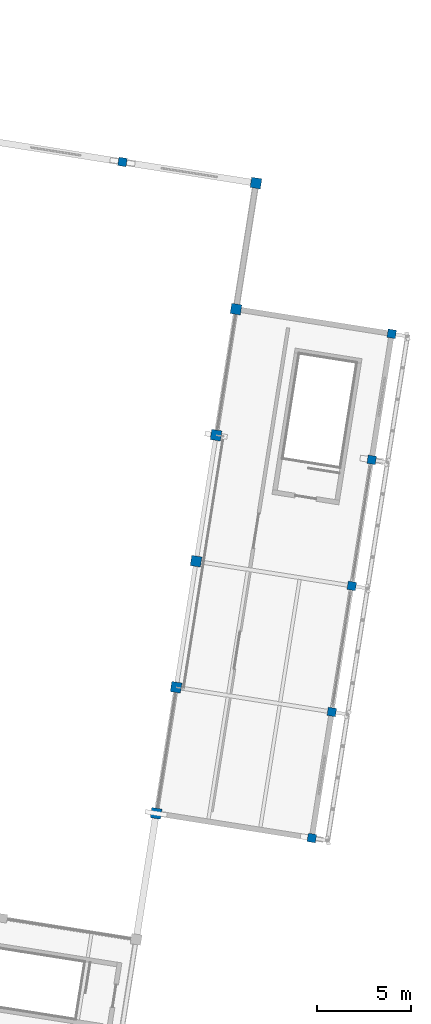
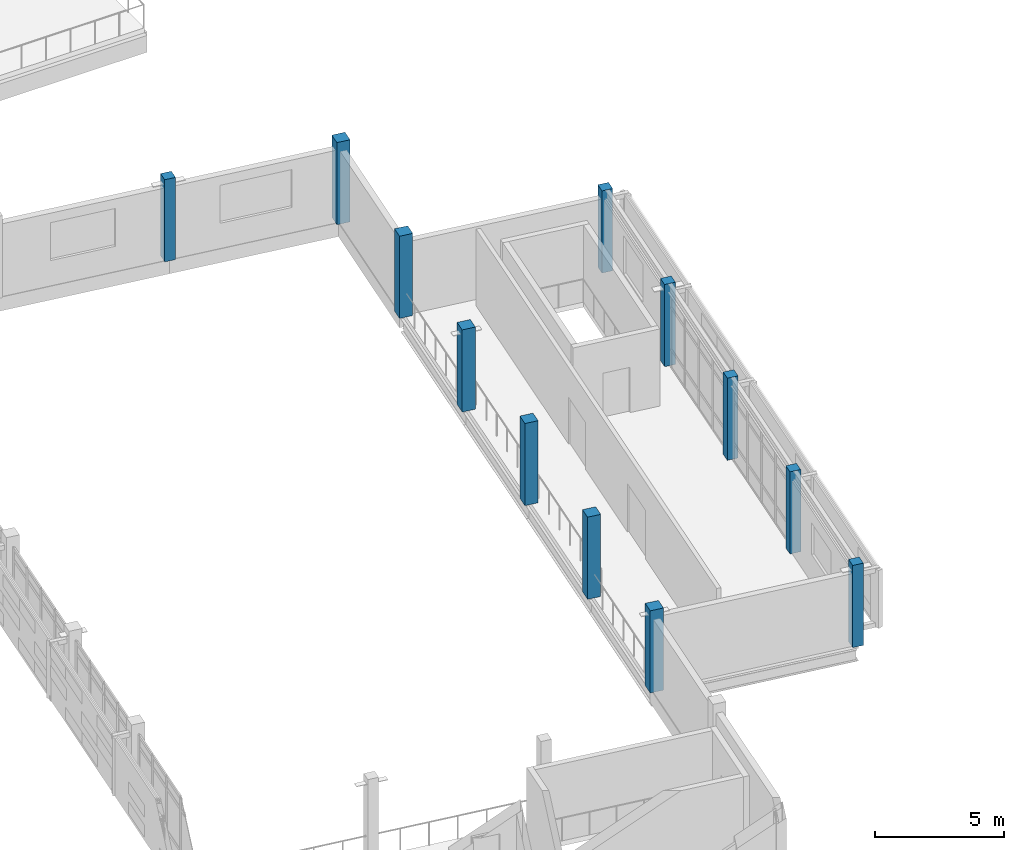
# One storey, part 3 of 117: 12 columns.
"""IFC4 building model written with IfcOpenShell, lengths in metres."""

from ifc_helpers import new_model, si_unit, direction, frame, origin, origin_2d, place, context, subcontext, project, spatial, rectangle, extrude, material, material_profile, profile_set, type_object, element, save


model = new_model("IFC4")

# Units and contexts
model_context = context("Model", 3, precision=1e-05, world=origin(), true_north=direction((0.0, 1.0)))
body_context = subcontext(model_context, "Body", "Model", "MODEL_VIEW")
ifc_project = project(units=[si_unit("LENGTHUNIT", "METRE"), si_unit("AREAUNIT", "SQUARE_METRE"), si_unit("VOLUMEUNIT", "CUBIC_METRE"), si_unit("PLANEANGLEUNIT", "RADIAN"), si_unit("MASSUNIT", "GRAM", prefix="KILO")], contexts=[model_context])

# Site, building, storey
site_placement = place(None, origin())
site = spatial("IfcSite", under=ifc_project, at=site_placement, CompositionType="ELEMENT")
building_placement = place(site_placement, origin())
building = spatial("IfcBuilding", under=site, at=building_placement, Name="Cinderway Yard Community Centre", CompositionType="ELEMENT")
storey_placement = place(building_placement, frame((0.0, 0.0, 9.0)))
storey = spatial("IfcBuildingStorey", under=building, at=storey_placement, Name="L02", CompositionType="ELEMENT", Elevation=9.0)

# Columns
ifc_material = material(Name="Concrete C40/50", Category="concrete")
ifc_material_profile_1 = material_profile(ifc_material, rectangle(XDim=0.449951171875, YDim=0.449951171875, at=origin_2d()), Name="Concrete C40/50")
ifc_profile_set_1 = profile_set([ifc_material_profile_1], Name="Concrete C40/50")
column_type_1 = type_object("IfcColumnType", Name="STR-COL-RC450", PredefinedType="COLUMN", material=ifc_profile_set_1)
for number, where, z_axis, x_axis, name in (
    (1, (148.694091796875, 40.02294921875, 0.0), (0.0, 0.0, 1.0), (0.987688340595, -0.15643446504, 0.0), "Column V2-CE-01 L02"),
    (2, (149.758056640625, 46.739990234375, 0.0), (0.0, 0.0, 1.0), (0.987688340595, -0.15643446504, 0.0), "Column V2-CE-02 L02"),
    (3, (150.822021484375, 53.4560546875, 0.0), (0.0, 0.0, 1.0), (0.987688340595, -0.15643446504, 0.0), "Column V2-CE-03 L02"),
    (4, (151.885986328125, 60.172119140625, 0.0), (0.0, 0.0, 1.0), (0.987688340595, -0.15643446504, 0.0), "Column V2-CE-04 L02"),
    (5, (152.948974609375, 66.887939453125, 0.0), (0.0, 0.0, 1.0), (0.987688340595, -0.15643446504, 0.0), "Column V2-CE-05 L02"),
    (6, (138.60498046875, 76.044921875, 0.0), (0.0, 0.0, 1.0), (0.987688340595, -0.15643446504, 0.0), "Column V2-GN-144 L02"),
):
    element("IfcColumn", number, at=place(storey_placement, frame(where, z_axis=z_axis, x_axis=x_axis)), inside=storey, type_object=column_type_1, Name=name, PredefinedType="COLUMN", context=body_context, shape_type="SweptSolid", body=[
        extrude(rectangle(XDim=0.449951171875, YDim=0.449951171875, at=origin_2d()), origin(), (0.0, 0.0, 1.0), 3.89990234375),
    ])
ifc_material_profile_2 = material_profile(ifc_material, rectangle(XDim=0.550048828125, YDim=0.550048828125, at=origin_2d()), Name="Concrete C40/50")
ifc_profile_set_2 = profile_set([ifc_material_profile_2], Name="Concrete C40/50")
column_type_2 = type_object("IfcColumnType", Name="STR-COL-RC550", PredefinedType="COLUMN", material=ifc_profile_set_2)
for number, where, z_axis, x_axis, name in (
    (7, (140.39794921875, 41.3369140625, 0.0), (0.0, 0.0, 1.0), (0.987688340595, -0.15643446504, 0.0), "Column V2-C-E02 L02"),
    (8, (141.4619140625, 48.053955078125, 0.0), (0.0, 0.0, 1.0), (0.987688340595, -0.15643446504, 0.0), "Column V2-C-E03 L02"),
    (9, (142.52490234375, 54.77001953125, 0.0), (0.0, 0.0, 1.0), (0.987688340595, -0.15643446504, 0.0), "Column V2-C-E04 L02"),
    (10, (143.589111328125, 61.486083984375, 0.0), (0.0, 0.0, 1.0), (0.987688340595, -0.15643446504, 0.0), "Column V2-C-E05 L02"),
    (11, (144.653076171875, 68.201904296875, 0.0), (0.0, 0.0, 1.0), (0.987688340595, -0.15643446504, 0.0), "Column V2-C-E06 L02"),
    (12, (145.717041015625, 74.9189453125, 0.0), (0.0, 0.0, 1.0), (0.987688340595, -0.15643446504, 0.0), "Column V2-C-E07 L02"),
):
    element("IfcColumn", number, at=place(storey_placement, frame(where, z_axis=z_axis, x_axis=x_axis)), inside=storey, type_object=column_type_2, Name=name, PredefinedType="COLUMN", context=body_context, shape_type="SweptSolid", body=[
        extrude(rectangle(XDim=0.550048828125, YDim=0.550048828125, at=origin_2d()), origin(), (0.0, 0.0, 1.0), 3.89990234375),
    ])

save(model, "model.ifc")
